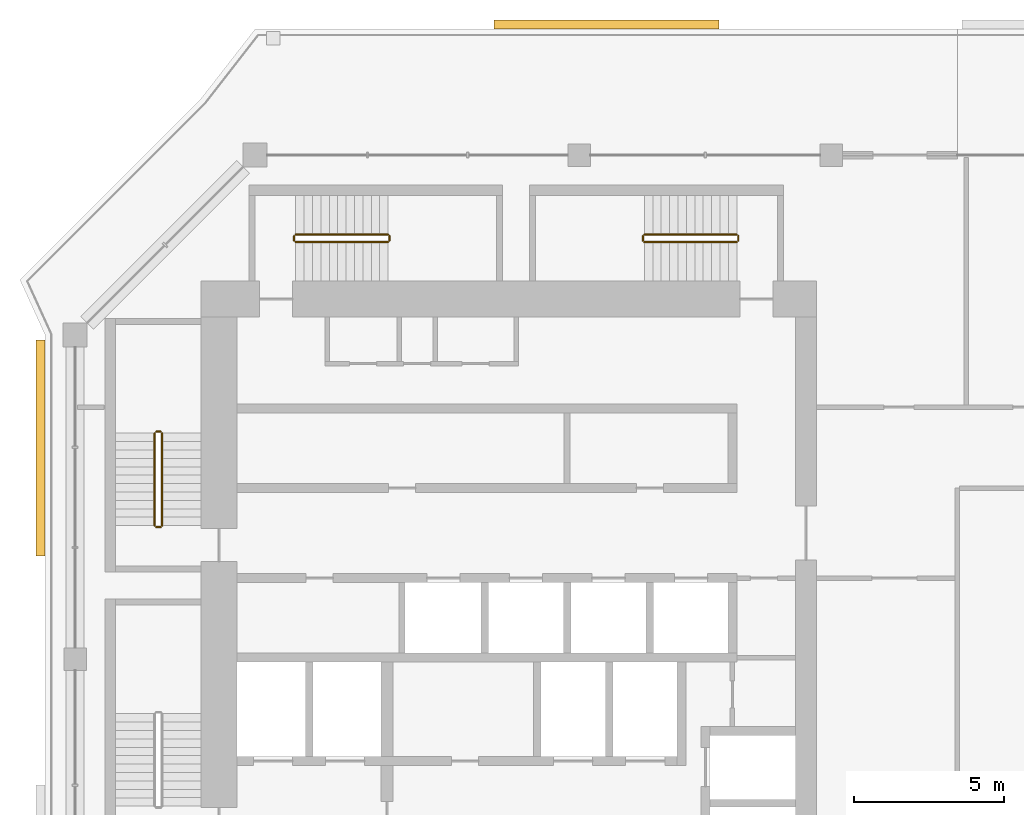
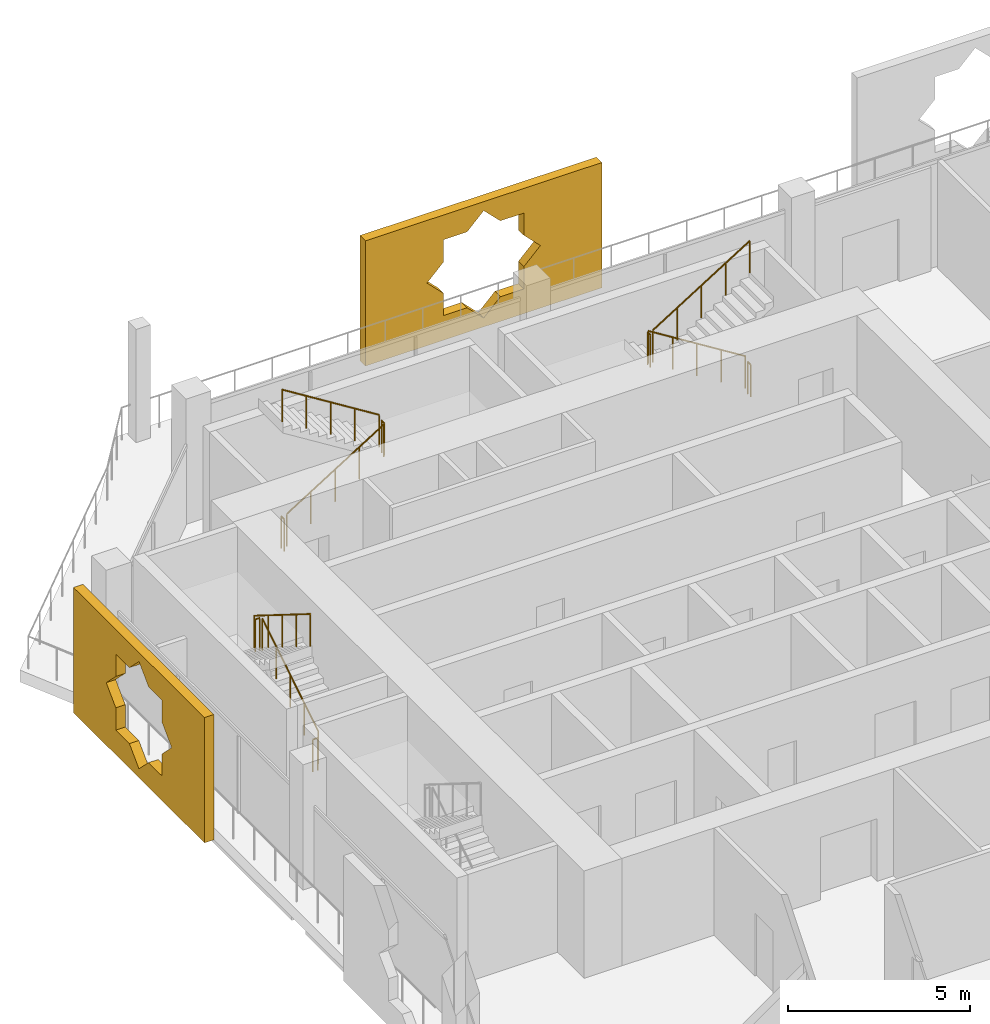
# One storey, part 18 of 20: 12 railings, 2 coverings.
"""IFC4 building model written with IfcOpenShell, lengths in metres."""

from ifc_helpers import new_model, si_unit, direction, frame, origin, origin_2d, place, context, subcontext, project, spatial, polyline, circle, outline, extrude, material, material_profile, profile_set, type_object, element, save


model = new_model("IFC4")

# Units and contexts
model_context = context("Model", 3, precision=1e-05, world=origin(), true_north=direction((0.0, 1.0)))
body_context = subcontext(model_context, "Body", "Model", "MODEL_VIEW")
ifc_project = project(units=[si_unit("LENGTHUNIT", "METRE"), si_unit("AREAUNIT", "SQUARE_METRE"), si_unit("VOLUMEUNIT", "CUBIC_METRE"), si_unit("PLANEANGLEUNIT", "RADIAN"), si_unit("MASSUNIT", "GRAM", prefix="KILO")], contexts=[model_context])

# Site, building, storey
site_placement = place(None, origin())
site = spatial("IfcSite", under=ifc_project, at=site_placement, CompositionType="ELEMENT")
building_placement = place(site_placement, origin())
building = spatial("IfcBuilding", under=site, at=building_placement, Name="Kawkab Arch Medical Tower", CompositionType="ELEMENT")
storey_placement = place(building_placement, frame((0.0, 0.0, 290.199951171875)))
storey = spatial("IfcBuildingStorey", under=building, at=storey_placement, Name="L67", CompositionType="ELEMENT", Elevation=290.199951171875)

# Coverings
ifc_material_1 = material(Name="Bronze anodised aluminium mashrabiya panel, eight-point star pattern", Category="aluminium")
ifc_material_profile_1 = material_profile(ifc_material_1, outline(polyline([(-3.60009765625, -2.10009765625), (3.60009765625, -2.10009765625), (3.60009765625, 2.10009765625), (-3.60009765625, 2.10009765625), (-3.60009765625, -2.10009765625)]), holes=[polyline([(1.800048828125, 0.0), (1.272705078125, 0.527099609375), (1.272705078125, 1.272705078125), (0.527099609375, 1.272705078125), (0.0, 1.800048828125), (-0.527099609375, 1.272705078125), (-1.272705078125, 1.272705078125), (-1.272705078125, 0.527099609375), (-1.800048828125, 0.0), (-1.272705078125, -0.527099609375), (-1.272705078125, -1.272705078125), (-0.527099609375, -1.272705078125), (0.0, -1.800048828125), (0.527099609375, -1.272705078125), (1.272705078125, -1.272705078125), (1.272705078125, -0.527099609375), (1.800048828125, 0.0)])]), Name="Mashrabiya panel 7200x4200")
ifc_profile_set_1 = profile_set([ifc_material_profile_1], Name="Bronze anodised aluminium mashrabiya panel, eight-point star pattern")
covering_type_1 = type_object("IfcCoveringType", Name="Mashrabiya panel 7200 x 4200", PredefinedType="USERDEFINED", material=ifc_profile_set_1)
covering_1_placement = place(storey_placement, frame((-1.0, -9.768310546875, 1.699951171875), z_axis=(-1.0, 0.0, 0.0), x_axis=(0.0, -1.0, 0.0)))
element("IfcCovering", 1, at=covering_1_placement, inside=storey, type_object=covering_type_1, Name="Mashrabiya panel L67.LOG-01-01.3", ObjectType="SCREEN", PredefinedType="USERDEFINED", context=body_context, shape_type="SweptSolid", body=[
    extrude(outline(polyline([(-3.60009765625, -2.10009765625), (3.60009765625, -2.10009765625), (3.60009765625, 2.10009765625), (-3.60009765625, 2.10009765625), (-3.60009765625, -2.10009765625)]), holes=[polyline([(1.800048828125, 0.0), (1.272705078125, 0.527099609375), (1.272705078125, 1.272705078125), (0.527099609375, 1.272705078125), (0.0, 1.800048828125), (-0.527099609375, 1.272705078125), (-1.272705078125, 1.272705078125), (-1.272705078125, 0.527099609375), (-1.800048828125, 0.0), (-1.272705078125, -0.527099609375), (-1.272705078125, -1.272705078125), (-0.527099609375, -1.272705078125), (0.0, -1.800048828125), (0.527099609375, -1.272705078125), (1.272705078125, -1.272705078125), (1.272705078125, -0.527099609375), (1.800048828125, 0.0)])]), origin(), (0.0, 0.0, 1.0), 0.300048828125),
])
ifc_material_2 = material(Name="Bronze anodised aluminium mashrabiya panel, eight-point star pattern", Category="aluminium")
ifc_material_profile_2 = material_profile(ifc_material_2, outline(polyline([(-3.75, -2.10009765625), (3.75, -2.10009765625), (3.75, 2.10009765625), (-3.75, 2.10009765625), (-3.75, -2.10009765625)]), holes=[polyline([(1.800048828125, 0.0), (1.272705078125, 0.527099609375), (1.272705078125, 1.272705078125), (0.527099609375, 1.272705078125), (0.0, 1.800048828125), (-0.527099609375, 1.272705078125), (-1.272705078125, 1.272705078125), (-1.272705078125, 0.527099609375), (-1.800048828125, 0.0), (-1.272705078125, -0.527099609375), (-1.272705078125, -1.272705078125), (-0.527099609375, -1.272705078125), (0.0, -1.800048828125), (0.527099609375, -1.272705078125), (1.272705078125, -1.272705078125), (1.272705078125, -0.527099609375), (1.800048828125, 0.0)])]), Name="Mashrabiya panel 7500x4200")
ifc_profile_set_2 = profile_set([ifc_material_profile_2], Name="Bronze anodised aluminium mashrabiya panel, eight-point star pattern")
covering_type_2 = type_object("IfcCoveringType", Name="Mashrabiya panel 7500 x 4200", PredefinedType="USERDEFINED", material=ifc_profile_set_2)
covering_2_placement = place(storey_placement, frame((17.702392578125, 4.199951171875, 1.699951171875), z_axis=(0.0, 1.0, 0.0), x_axis=(-1.0, 0.0, 0.0)))
element("IfcCovering", 2, at=covering_2_placement, inside=storey, type_object=covering_type_2, Name="Mashrabiya panel L67.LOG-01-01.4", ObjectType="SCREEN", PredefinedType="USERDEFINED", context=body_context, shape_type="SweptSolid", body=[
    extrude(outline(polyline([(-3.75, -2.10009765625), (3.75, -2.10009765625), (3.75, 2.10009765625), (-3.75, 2.10009765625), (-3.75, -2.10009765625)]), holes=[polyline([(1.800048828125, 0.0), (1.272705078125, 0.527099609375), (1.272705078125, 1.272705078125), (0.527099609375, 1.272705078125), (0.0, 1.800048828125), (-0.527099609375, 1.272705078125), (-1.272705078125, 1.272705078125), (-1.272705078125, 0.527099609375), (-1.800048828125, 0.0), (-1.272705078125, -0.527099609375), (-1.272705078125, -1.272705078125), (-0.527099609375, -1.272705078125), (0.0, -1.800048828125), (0.527099609375, -1.272705078125), (1.272705078125, -1.272705078125), (1.272705078125, -0.527099609375), (1.800048828125, 0.0)])]), origin(), (0.0, 0.0, 1.0), 0.300048828125),
])

# Railings
ifc_material_3 = material(Name="Stainless steel", Category="steel")
railing_type = type_object("IfcRailingType", Name="Stair guard 1100", PredefinedType="GUARDRAIL", material=ifc_material_3)
railing_1_placement = place(storey_placement, frame((2.89990234375, -12.35009765625, 0.175048828125)))
element("IfcRailing", 3, at=railing_1_placement, inside=storey, type_object=railing_type, Name="L67 ST1 stair guard 1", PredefinedType="GUARDRAIL", context=body_context, shape_type="SweptSolid", body=[
    extrude(circle(Radius=0.02392578125, at=origin_2d()), frame((0.0, 0.0, 1.076171875), z_axis=(0.0, 0.847998304005, 0.529998940003), x_axis=(-1.0, 0.0, 0.0)), (0.0, 0.0, 1.0), 3.632080078125),
    extrude(circle(Radius=0.02099609375, at=origin_2d()), origin(), (0.0, 0.0, 1.0), 1.052001953125),
    extrude(circle(Radius=0.02099609375, at=origin_2d()), frame((0.0, 0.77001953125, 0.481201171875)), (0.0, 0.0, 1.0), 1.052001953125),
    extrude(circle(Radius=0.02099609375, at=origin_2d()), frame((0.0, 1.5400390625, 0.96240234375)), (0.0, 0.0, 1.0), 1.052001953125),
    extrude(circle(Radius=0.02099609375, at=origin_2d()), frame((0.0, 2.31005859375, 1.44384765625)), (0.0, 0.0, 1.0), 1.052001953125),
    extrude(circle(Radius=0.02099609375, at=origin_2d()), frame((0.0, 3.080078125, 1.925048828125)), (0.0, 0.0, 1.0), 1.052001953125),
])
railing_2_placement = place(storey_placement, frame((2.85009765625, -9.219970703125, 2.10009765625)))
element("IfcRailing", 4, at=railing_2_placement, inside=storey, type_object=railing_type, Name="L67 ST1 stair guard 2", PredefinedType="GUARDRAIL", context=body_context, shape_type="SweptSolid", body=[
    extrude(circle(Radius=0.02392578125, at=origin_2d()), frame((0.0, 0.0, 1.076171875), z_axis=(-1.0, 0.0, 0.0), x_axis=(0.0, -1.0, 0.0)), (0.0, 0.0, 1.0), 0.150146484375),
    extrude(circle(Radius=0.02099609375, at=origin_2d()), origin(), (0.0, 0.0, 1.0), 1.052001953125),
    extrude(circle(Radius=0.02099609375, at=origin_2d()), frame((-0.150146484375, 0.0, 0.0)), (0.0, 0.0, 1.0), 1.052001953125),
])
railing_3_placement = place(storey_placement, frame((2.64990234375, -9.27001953125, 2.275146484375)))
element("IfcRailing", 5, at=railing_3_placement, inside=storey, type_object=railing_type, Name="L67 ST1 stair guard 3", PredefinedType="GUARDRAIL", context=body_context, shape_type="SweptSolid", body=[
    extrude(circle(Radius=0.02392578125, at=origin_2d()), frame((0.0, 0.0, 1.076171875), z_axis=(0.0, -0.848028513186, 0.529950602248), x_axis=(1.0, 0.0, 0.0)), (0.0, 0.0, 1.0), 3.632080078125),
    extrude(circle(Radius=0.02099609375, at=origin_2d()), origin(), (0.0, 0.0, 1.0), 1.052001953125),
    extrude(circle(Radius=0.02099609375, at=origin_2d()), frame((0.0, -0.77001953125, 0.481201171875)), (0.0, 0.0, 1.0), 1.052001953125),
    extrude(circle(Radius=0.02099609375, at=origin_2d()), frame((0.0, -1.5400390625, 0.96240234375)), (0.0, 0.0, 1.0), 1.052001953125),
    extrude(circle(Radius=0.02099609375, at=origin_2d()), frame((0.0, -2.31005859375, 1.443603515625)), (0.0, 0.0, 1.0), 1.052001953125),
    extrude(circle(Radius=0.02099609375, at=origin_2d()), frame((0.0, -3.080078125, 1.9248046875)), (0.0, 0.0, 1.0), 1.052001953125),
])
railing_4_placement = place(storey_placement, frame((2.85009765625, -12.39990234375, 0.0)))
element("IfcRailing", 6, at=railing_4_placement, inside=storey, type_object=railing_type, Name="L67 ST1 stair guard 4", PredefinedType="GUARDRAIL", context=body_context, shape_type="SweptSolid", body=[
    extrude(circle(Radius=0.02392578125, at=origin_2d()), frame((0.0, 0.0, 1.076171875), z_axis=(-1.0, 0.0, 0.0), x_axis=(0.0, -1.0, 0.0)), (0.0, 0.0, 1.0), 0.150146484375),
    extrude(circle(Radius=0.02099609375, at=origin_2d()), origin(), (0.0, 0.0, 1.0), 1.052001953125),
    extrude(circle(Radius=0.02099609375, at=origin_2d()), frame((-0.150146484375, 0.0, 0.0)), (0.0, 0.0, 1.0), 1.052001953125),
])
railing_5_placement = place(storey_placement, frame((7.35009765625, -2.89990234375, 0.175048828125)))
element("IfcRailing", 7, at=railing_5_placement, inside=storey, type_object=railing_type, Name="L67 ST3 stair guard 1", PredefinedType="GUARDRAIL", context=body_context, shape_type="SweptSolid", body=[
    extrude(circle(Radius=0.02392578125, at=origin_2d()), frame((0.0, 0.0, 1.076171875), z_axis=(0.847979421464, 0.0, 0.530029150871), x_axis=(0.0, 1.0, 0.0)), (0.0, 0.0, 1.0), 3.632080078125),
    extrude(circle(Radius=0.02099609375, at=origin_2d()), origin(), (0.0, 0.0, 1.0), 1.052001953125),
    extrude(circle(Radius=0.02099609375, at=origin_2d()), frame((0.77001953125, 0.0, 0.481201171875)), (0.0, 0.0, 1.0), 1.052001953125),
    extrude(circle(Radius=0.02099609375, at=origin_2d()), frame((1.5400390625, 0.0, 0.96240234375)), (0.0, 0.0, 1.0), 1.052001953125),
    extrude(circle(Radius=0.02099609375, at=origin_2d()), frame((2.309814453125, 0.0, 1.44384765625)), (0.0, 0.0, 1.0), 1.052001953125),
    extrude(circle(Radius=0.02099609375, at=origin_2d()), frame((3.079833984375, 0.0, 1.925048828125)), (0.0, 0.0, 1.0), 1.052001953125),
])
railing_6_placement = place(storey_placement, frame((10.47998046875, -2.85009765625, 2.10009765625)))
element("IfcRailing", 8, at=railing_6_placement, inside=storey, type_object=railing_type, Name="L67 ST3 stair guard 2", PredefinedType="GUARDRAIL", context=body_context, shape_type="SweptSolid", body=[
    extrude(circle(Radius=0.02392578125, at=origin_2d()), frame((0.0, 0.0, 1.076171875), z_axis=(0.0, 1.0, 0.0), x_axis=(-1.0, 0.0, 0.0)), (0.0, 0.0, 1.0), 0.150146484375),
    extrude(circle(Radius=0.02099609375, at=origin_2d()), origin(), (0.0, 0.0, 1.0), 1.052001953125),
    extrude(circle(Radius=0.02099609375, at=origin_2d()), frame((0.0, 0.150146484375, 0.0)), (0.0, 0.0, 1.0), 1.052001953125),
])
railing_7_placement = place(storey_placement, frame((10.429931640625, -2.64990234375, 2.275146484375)))
element("IfcRailing", 9, at=railing_7_placement, inside=storey, type_object=railing_type, Name="L67 ST3 stair guard 3", PredefinedType="GUARDRAIL", context=body_context, shape_type="SweptSolid", body=[
    extrude(circle(Radius=0.02392578125, at=origin_2d()), frame((0.0, 0.0, 1.076171875), z_axis=(-0.848009633417, 0.0, 0.529980812513), x_axis=(0.0, -1.0, 0.0)), (0.0, 0.0, 1.0), 3.6318359375),
    extrude(circle(Radius=0.02099609375, at=origin_2d()), origin(), (0.0, 0.0, 1.0), 1.052001953125),
    extrude(circle(Radius=0.02099609375, at=origin_2d()), frame((-0.77001953125, 0.0, 0.481201171875)), (0.0, 0.0, 1.0), 1.052001953125),
    extrude(circle(Radius=0.02099609375, at=origin_2d()), frame((-1.5400390625, 0.0, 0.96240234375)), (0.0, 0.0, 1.0), 1.052001953125),
    extrude(circle(Radius=0.02099609375, at=origin_2d()), frame((-2.309814453125, 0.0, 1.443603515625)), (0.0, 0.0, 1.0), 1.052001953125),
    extrude(circle(Radius=0.02099609375, at=origin_2d()), frame((-3.079833984375, 0.0, 1.9248046875)), (0.0, 0.0, 1.0), 1.052001953125),
])
railing_8_placement = place(storey_placement, frame((7.300048828125, -2.85009765625, 0.0)))
element("IfcRailing", 10, at=railing_8_placement, inside=storey, type_object=railing_type, Name="L67 ST3 stair guard 4", PredefinedType="GUARDRAIL", context=body_context, shape_type="SweptSolid", body=[
    extrude(circle(Radius=0.02392578125, at=origin_2d()), frame((0.0, 0.0, 1.076171875), z_axis=(0.0, 1.0, 0.0), x_axis=(-1.0, 0.0, 0.0)), (0.0, 0.0, 1.0), 0.150146484375),
    extrude(circle(Radius=0.02099609375, at=origin_2d()), origin(), (0.0, 0.0, 1.0), 1.052001953125),
    extrude(circle(Radius=0.02099609375, at=origin_2d()), frame((0.0, 0.150146484375, 0.0)), (0.0, 0.0, 1.0), 1.052001953125),
])
railing_9_placement = place(storey_placement, frame((22.050048828125, -2.64990234375, 0.175048828125)))
element("IfcRailing", 11, at=railing_9_placement, inside=storey, type_object=railing_type, Name="L67 ST4 stair guard 1", PredefinedType="GUARDRAIL", context=body_context, shape_type="SweptSolid", body=[
    extrude(circle(Radius=0.02392578125, at=origin_2d()), frame((0.0, 0.0, 1.076171875), z_axis=(-0.847998304005, 0.0, 0.529998940003), x_axis=(0.0, -1.0, 0.0)), (0.0, 0.0, 1.0), 3.632080078125),
    extrude(circle(Radius=0.02099609375, at=origin_2d()), origin(), (0.0, 0.0, 1.0), 1.052001953125),
    extrude(circle(Radius=0.02099609375, at=origin_2d()), frame((-0.77001953125, 0.0, 0.481201171875)), (0.0, 0.0, 1.0), 1.052001953125),
    extrude(circle(Radius=0.02099609375, at=origin_2d()), frame((-1.5400390625, 0.0, 0.96240234375)), (0.0, 0.0, 1.0), 1.052001953125),
    extrude(circle(Radius=0.02099609375, at=origin_2d()), frame((-2.31005859375, 0.0, 1.44384765625)), (0.0, 0.0, 1.0), 1.052001953125),
    extrude(circle(Radius=0.02099609375, at=origin_2d()), frame((-3.080078125, 0.0, 1.925048828125)), (0.0, 0.0, 1.0), 1.052001953125),
])
railing_10_placement = place(storey_placement, frame((18.919921875, -2.699951171875, 2.10009765625)))
element("IfcRailing", 12, at=railing_10_placement, inside=storey, type_object=railing_type, Name="L67 ST4 stair guard 2", PredefinedType="GUARDRAIL", context=body_context, shape_type="SweptSolid", body=[
    extrude(circle(Radius=0.02392578125, at=origin_2d()), frame((0.0, 0.0, 1.076171875), z_axis=(0.0, -1.0, 0.0), x_axis=(1.0, 0.0, 0.0)), (0.0, 0.0, 1.0), 0.150146484375),
    extrude(circle(Radius=0.02099609375, at=origin_2d()), origin(), (0.0, 0.0, 1.0), 1.052001953125),
    extrude(circle(Radius=0.02099609375, at=origin_2d()), frame((0.0, -0.150146484375, 0.0)), (0.0, 0.0, 1.0), 1.052001953125),
])
railing_11_placement = place(storey_placement, frame((18.969970703125, -2.89990234375, 2.275146484375)))
element("IfcRailing", 13, at=railing_11_placement, inside=storey, type_object=railing_type, Name="L67 ST4 stair guard 3", PredefinedType="GUARDRAIL", context=body_context, shape_type="SweptSolid", body=[
    extrude(circle(Radius=0.02392578125, at=origin_2d()), frame((0.0, 0.0, 1.076171875), z_axis=(0.848028513186, 0.0, 0.529950602248), x_axis=(0.0, 1.0, 0.0)), (0.0, 0.0, 1.0), 3.632080078125),
    extrude(circle(Radius=0.02099609375, at=origin_2d()), origin(), (0.0, 0.0, 1.0), 1.052001953125),
    extrude(circle(Radius=0.02099609375, at=origin_2d()), frame((0.77001953125, 0.0, 0.481201171875)), (0.0, 0.0, 1.0), 1.052001953125),
    extrude(circle(Radius=0.02099609375, at=origin_2d()), frame((1.5400390625, 0.0, 0.96240234375)), (0.0, 0.0, 1.0), 1.052001953125),
    extrude(circle(Radius=0.02099609375, at=origin_2d()), frame((2.31005859375, 0.0, 1.443603515625)), (0.0, 0.0, 1.0), 1.052001953125),
    extrude(circle(Radius=0.02099609375, at=origin_2d()), frame((3.080078125, 0.0, 1.9248046875)), (0.0, 0.0, 1.0), 1.052001953125),
])
railing_12_placement = place(storey_placement, frame((22.10009765625, -2.699951171875, 0.0)))
element("IfcRailing", 14, at=railing_12_placement, inside=storey, type_object=railing_type, Name="L67 ST4 stair guard 4", PredefinedType="GUARDRAIL", context=body_context, shape_type="SweptSolid", body=[
    extrude(circle(Radius=0.02392578125, at=origin_2d()), frame((0.0, 0.0, 1.076171875), z_axis=(0.0, -1.0, 0.0), x_axis=(1.0, 0.0, 0.0)), (0.0, 0.0, 1.0), 0.150146484375),
    extrude(circle(Radius=0.02099609375, at=origin_2d()), origin(), (0.0, 0.0, 1.0), 1.052001953125),
    extrude(circle(Radius=0.02099609375, at=origin_2d()), frame((0.0, -0.150146484375, 0.0)), (0.0, 0.0, 1.0), 1.052001953125),
])

save(model, "model.ifc")
